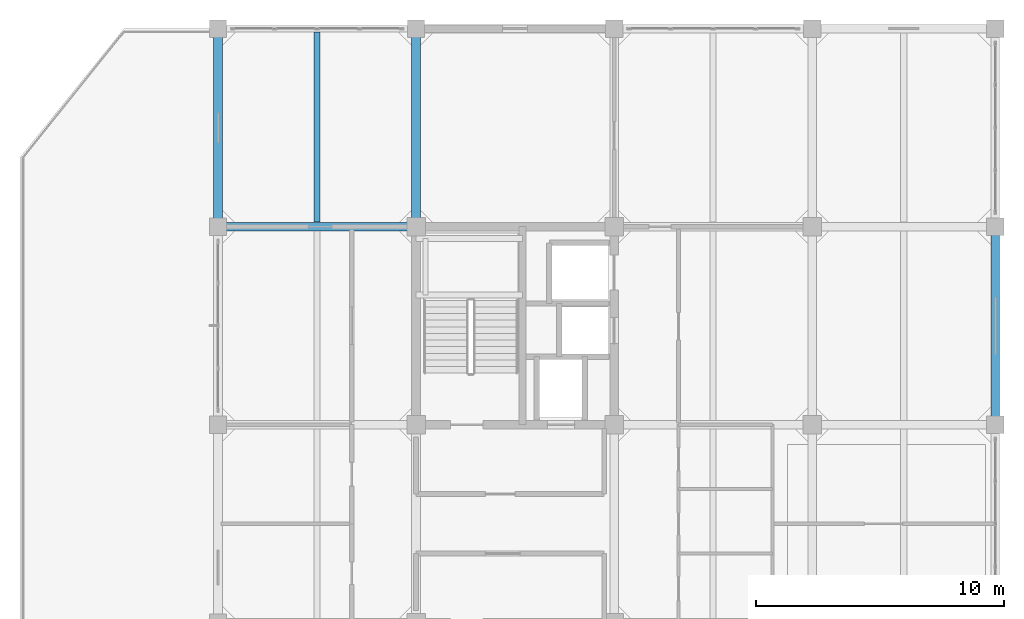
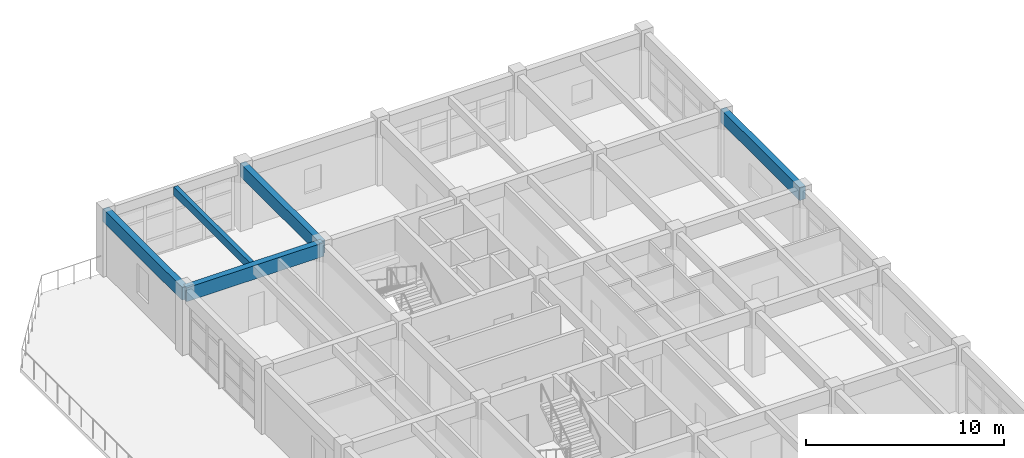
# One storey, part 12 of 25: 5 beams.
"""IFC4 building model written with IfcOpenShell, lengths in metres."""

from ifc_helpers import new_model, si_unit, direction, frame, origin, origin_2d, place, context, subcontext, project, spatial, rectangle, extrude, material, material_profile, profile_set, type_object, element, save


model = new_model("IFC4")

# Units and contexts
model_context = context("Model", 3, precision=1e-05, world=origin(), true_north=direction((0.0, 1.0)))
body_context = subcontext(model_context, "Body", "Model", "MODEL_VIEW")
ifc_project = project(units=[si_unit("LENGTHUNIT", "METRE"), si_unit("AREAUNIT", "SQUARE_METRE"), si_unit("VOLUMEUNIT", "CUBIC_METRE"), si_unit("PLANEANGLEUNIT", "RADIAN"), si_unit("MASSUNIT", "GRAM", prefix="KILO")], contexts=[model_context])

# Site, building, storey
site_placement = place(None, origin())
site = spatial("IfcSite", under=ifc_project, at=site_placement, CompositionType="ELEMENT")
building_placement = place(site_placement, origin())
building = spatial("IfcBuilding", under=site, at=building_placement, Name="Canggui Botanical Conservatory", CompositionType="ELEMENT")
storey_placement = place(building_placement, frame((0.0, 0.0, 40.199951171875)))
storey = spatial("IfcBuildingStorey", under=building, at=storey_placement, Name="L10", CompositionType="ELEMENT", Elevation=40.199951171875)

# Beams
ifc_material = material(Name="Concrete C35", Category="concrete")
ifc_material_profile_1 = material_profile(ifc_material, rectangle(XDim=0.25, YDim=0.5, at=origin_2d()), Name="RB 250x500")
ifc_profile_set_1 = profile_set([ifc_material_profile_1], Name="Concrete C35")
beam_type_1 = type_object("IfcBeamType", Name="BM-JST04", PredefinedType="JOIST", material=ifc_profile_set_1)
beam_1_placement = place(storey_placement, frame((150.0, 66.179931640625, 3.7099609375), z_axis=(0.0, 1.0, 0.0), x_axis=(-1.0, 0.0, 0.0)))
element("IfcBeam", 1, at=beam_1_placement, inside=storey, type_object=beam_type_1, Name="Secondary Floor Joist L10-1-5", PredefinedType="JOIST", context=body_context, shape_type="SweptSolid", body=[
    extrude(rectangle(XDim=0.25, YDim=0.5, at=origin_2d()), origin(), (0.0, 0.0, 1.0), 7.690185546875),
])
ifc_material_profile_2 = material_profile(ifc_material, rectangle(XDim=0.35009765625, YDim=0.85009765625, at=origin_2d()), Name="RB 350x850")
ifc_profile_set_2 = profile_set([ifc_material_profile_2], Name="Concrete C35")
beam_type_2 = type_object("IfcBeamType", Name="BM-KL14", PredefinedType="BEAM", material=ifc_profile_set_2)
beam_2_placement = place(storey_placement, frame((146.0, 66.0, 3.53515625), z_axis=(1.0, 0.0, 0.0), x_axis=(0.0, 1.0, 0.0)))
element("IfcBeam", 2, at=beam_2_placement, inside=storey, type_object=beam_type_2, Name="Frame Girder L10 Y66-1", PredefinedType="BEAM", context=body_context, shape_type="SweptSolid", body=[
    extrude(rectangle(XDim=0.35009765625, YDim=0.85009765625, at=origin_2d()), origin(), (0.0, 0.0, 1.0), 8.0),
])
ifc_material_profile_3 = material_profile(ifc_material, rectangle(XDim=0.35009765625, YDim=0.800048828125, at=origin_2d()), Name="RB 350x800")
ifc_profile_set_3 = profile_set([ifc_material_profile_3], Name="Concrete C35")
beam_type_3 = type_object("IfcBeamType", Name="BM-KL15", PredefinedType="BEAM", material=ifc_profile_set_3)
for number, where, z_axis, x_axis, name in (
    (3, (146.0, 66.0, 3.56005859375), (0.0, 1.0, 0.0), (-1.0, 0.0, 0.0), "Frame Girder L10 X146-5"),
    (4, (154.0, 66.0, 3.56005859375), (0.0, 1.0, 0.0), (-1.0, 0.0, 0.0), "Frame Girder L10 X154-5"),
    (5, (177.39990234375, 58.0, 3.56005859375), (0.0, 1.0, 0.0), (-1.0, 0.0, 0.0), "Frame Girder L10 X178-4"),
):
    element("IfcBeam", number, at=place(storey_placement, frame(where, z_axis=z_axis, x_axis=x_axis)), inside=storey, type_object=beam_type_3, Name=name, PredefinedType="BEAM", context=body_context, shape_type="SweptSolid", body=[
        extrude(rectangle(XDim=0.35009765625, YDim=0.800048828125, at=origin_2d()), origin(), (0.0, 0.0, 1.0), 8.0),
    ])

save(model, "model.ifc")
